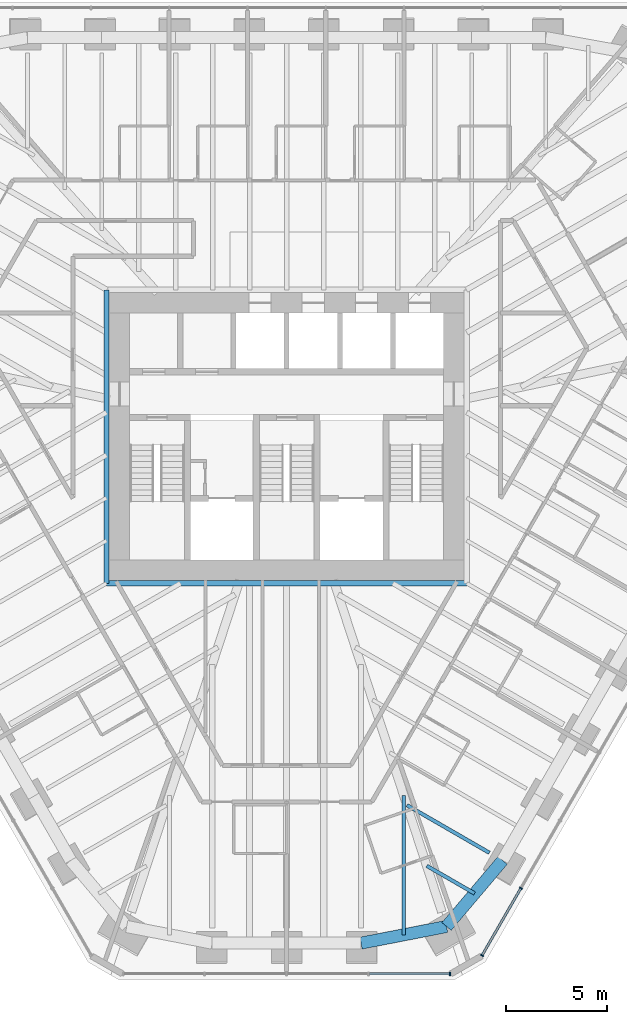
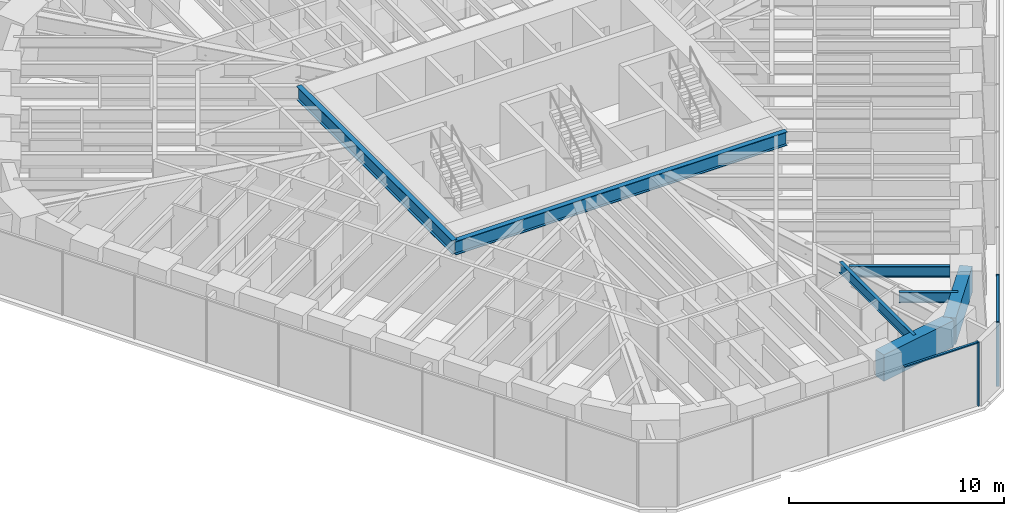
# One storey, part 4 of 17: 7 beams, 5 members, 2 elements without a shape of their own.
"""IFC4 building model written with IfcOpenShell, lengths in metres."""

import ifcopenshell
import ifcopenshell.guid

model = None  # the IFC model being written
_history = None  # IfcOwnerHistory: only IFC2X3 demands one
_inside = {}  # id of a spatial element -> (the spatial element, [elements in it])
_under = {}  # id of a project, library or spatial element -> (it, [spatial elements below it])
_declared = {}  # id of a project -> (the project, [libraries it declares])
_typed = {}  # id of a type object -> (the type object, [elements of that type])
_made_of = {}  # id of a material, layer set ... -> (it, [elements and type objects made of it])


def new_model(schema):
    """Start an empty IFC model of exactly this schema.

    Asked for "IFC4X3", IfcOpenShell would pick the latest addendum, in which some entities
    have other attributes; the version numbers below select the first issue.
    IFC2X3 requires an IfcOwnerHistory on every rooted entity: one is made here for all.
    """
    global model, _history
    if schema == "IFC4X3":
        model = ifcopenshell.file(schema_version=(4, 3, 0, 0))
    else:
        model = ifcopenshell.file(schema=schema)
    _inside.clear()
    _under.clear()
    _declared.clear()
    _typed.clear()
    _made_of.clear()
    _history = None
    if model.schema == "IFC2X3":
        org = make("IfcOrganization", Name="unknown")
        user = make(
            "IfcPersonAndOrganization",
            ThePerson=make("IfcPerson", FamilyName="unknown"),
            TheOrganization=org,
        )
        app = make(
            "IfcApplication",
            ApplicationDeveloper=org,
            Version="unknown",
            ApplicationFullName="unknown",
            ApplicationIdentifier="unknown",
        )
        _history = make(
            "IfcOwnerHistory",
            OwningUser=user,
            OwningApplication=app,
            ChangeAction="ADDED",
            CreationDate=0,
        )
    return model


def make(cls, **values):
    """One entity of the class cls with the attributes given. An attribute that is None is left unset."""
    return model.create_entity(
        cls, **{name: value for name, value in values.items() if value is not None}
    )


def rooted(cls, **values):
    """An entity with a GlobalId (a new one), such as an element, a storey or a relation."""
    return make(cls, GlobalId=ifcopenshell.guid.new(), OwnerHistory=_history, **values)


def si_unit(unit_type, name, prefix=None):
    """IfcSIUnit, for example si_unit("LENGTHUNIT", "METRE", prefix="MILLI")."""
    return make("IfcSIUnit", UnitType=unit_type, Prefix=prefix, Name=name)


def assignment(units):
    """IfcUnitAssignment: the units of a project."""
    return None if units is None else make("IfcUnitAssignment", Units=units)


def point(xyz):
    """IfcCartesianPoint."""
    return None if xyz is None else make("IfcCartesianPoint", Coordinates=xyz)


def direction(xyz):
    """IfcDirection."""
    return None if xyz is None else make("IfcDirection", DirectionRatios=xyz)


def frame(location, z_axis=None, x_axis=None):
    """IfcAxis2Placement3D, a coordinate frame: its origin and axes. An axis left out is left unset."""
    return make(
        "IfcAxis2Placement3D",
        Location=point(location),
        Axis=direction(z_axis),
        RefDirection=direction(x_axis),
    )


def frame_2d(location, x_axis=None):
    """IfcAxis2Placement2D, a coordinate frame in the plane: its origin and x axis."""
    return make(
        "IfcAxis2Placement2D", Location=point(location), RefDirection=direction(x_axis)
    )


def origin():
    """The frame at (0, 0, 0) with its axes left unset."""
    return frame((0.0, 0.0, 0.0))


def origin_2d():
    """The frame at (0, 0) in the plane with its x axis left unset."""
    return frame_2d((0.0, 0.0))


def place(relative_to, where):
    """IfcLocalPlacement: puts the frame where relative to a parent placement (None: the world)."""
    return make(
        "IfcLocalPlacement", PlacementRelTo=relative_to, RelativePlacement=where
    )


def context(
    kind, dimensions, precision=None, world=None, true_north=None, identifier=None
):
    """IfcGeometricRepresentationContext, for example the 3D "Model" context."""
    return make(
        "IfcGeometricRepresentationContext",
        ContextIdentifier=identifier,
        ContextType=kind,
        CoordinateSpaceDimension=dimensions,
        Precision=precision,
        WorldCoordinateSystem=world,
        TrueNorth=true_north,
    )


def subcontext(parent, identifier, kind, view, scale=None):
    """IfcGeometricRepresentationSubContext, for example "Body" below "Model"."""
    return make(
        "IfcGeometricRepresentationSubContext",
        ContextIdentifier=identifier,
        ContextType=kind,
        ParentContext=parent,
        TargetScale=scale,
        TargetView=view,
    )


def project(units=None, contexts=None):
    """IfcProject with its units and contexts."""
    return rooted(
        "IfcProject",
        Name="project",
        RepresentationContexts=contexts,
        UnitsInContext=assignment(units),
    )


def spatial(cls, under=None, at=None, **own):
    """A site, building, storey or space (cls), placed at a placement, below another one or the project."""
    s = rooted(cls, ObjectPlacement=at, **own)
    if under is not None:
        _under.setdefault(under.id(), (under, []))[1].append(s)
    return s


def profile(cls, at=None, kind="AREA", **sizes):
    """A parametric profile (cls). Its sizes go by their IFC names, for example OverallWidth=200.0."""
    return make(cls, ProfileType=kind, Position=at, **sizes)


def rectangle(**sizes):
    """IfcRectangleProfileDef."""
    return profile("IfcRectangleProfileDef", **sizes)


def i_section(**sizes):
    """IfcIShapeProfileDef."""
    return profile("IfcIShapeProfileDef", **sizes)


def extrude(swept, where, along, depth):
    """IfcExtrudedAreaSolid: the profile swept, set in the frame where, extruded along a direction by depth."""
    return make(
        "IfcExtrudedAreaSolid",
        SweptArea=swept,
        Position=where,
        ExtrudedDirection=direction(along),
        Depth=depth,
    )


def shape(context_of_items, identifier, shape_type, items):
    """IfcShapeRepresentation: the items that make up one representation, for example the "Body"."""
    return make(
        "IfcShapeRepresentation",
        ContextOfItems=context_of_items,
        RepresentationIdentifier=identifier,
        RepresentationType=shape_type,
        Items=items,
    )


def material(Name=None, Category=None):
    """IfcMaterial."""
    return make("IfcMaterial", Name=Name, Category=Category)


def material_profile(
    of_material, cross_section, Name=None, Category=None, Priority=None
):
    """IfcMaterialProfile: a cross section and its material."""
    return make(
        "IfcMaterialProfile",
        Name=Name,
        Material=of_material,
        Profile=cross_section,
        Priority=Priority,
        Category=Category,
    )


def profile_set(profiles, Name=None, composite=None):
    """IfcMaterialProfileSet."""
    return make(
        "IfcMaterialProfileSet",
        Name=Name,
        MaterialProfiles=profiles,
        CompositeProfile=composite,
    )


def made_of(thing, what):
    """Note that an element or type object is made of a material, layer set ...; save() writes the relation."""
    if what is not None:
        _made_of.setdefault(what.id(), (what, []))[1].append(thing)
    return thing


def type_object(cls, material=None, **own):
    """A type object (cls), such as IfcWallType, which elements share."""
    return made_of(rooted(cls, **own), material)


def element(
    cls,
    number,
    at=None,
    inside=None,
    cuts=None,
    type_object=None,
    material=None,
    context=None,
    identifier="Body",
    shape_type=None,
    held_by="IfcProductDefinitionShape",
    body=None,
    shapes=None,
    **own,
):
    """One element of the class cls, such as IfcWall. Its Tag is "e" and its number.

    at: its placement. inside: the storey or other place that contains it. cuts: it is an
    opening in that element (IfcRelVoidsElement). A single representation is given by context,
    identifier, shape_type and body (its items); several are given by shapes. held_by: the class
    of the entity that holds the representations. save() writes the other relations.
    """
    e = rooted(cls, Tag="e%d" % number, ObjectPlacement=at, **own)
    if body is not None:
        shapes = [shape(context, identifier, shape_type, body)]
    if shapes is not None:
        e.Representation = make(held_by, Representations=shapes)
    if inside is not None:
        _inside.setdefault(inside.id(), (inside, []))[1].append(e)
    if cuts is not None:
        rooted(
            "IfcRelVoidsElement", RelatingBuildingElement=cuts, RelatedOpeningElement=e
        )
    if type_object is not None:
        _typed.setdefault(type_object.id(), (type_object, []))[1].append(e)
    return made_of(e, material)


def aggregate(whole, parts):
    """IfcRelAggregates: a whole, such as a stair, and the parts it consists of."""
    return rooted("IfcRelAggregates", RelatingObject=whole, RelatedObjects=parts)


def save(model, path):
    """Write the relations noted so far, then the file.

    IfcRelAggregates (storeys below a building ...), IfcRelContainedInSpatialStructure (elements
    in a storey), IfcRelDefinesByType, IfcRelAssociatesMaterial and IfcRelDeclares: one each for
    every whole, place, type object, material and project.
    """
    for whole, parts in _under.values():
        aggregate(whole, parts)
    for where, things in _inside.values():
        rooted(
            "IfcRelContainedInSpatialStructure",
            RelatedElements=things,
            RelatingStructure=where,
        )
    for kind, things in _typed.values():
        rooted("IfcRelDefinesByType", RelatedObjects=things, RelatingType=kind)
    for what, things in _made_of.values():
        rooted("IfcRelAssociatesMaterial", RelatedObjects=things, RelatingMaterial=what)
    for by, libraries in _declared.values():
        rooted("IfcRelDeclares", RelatingContext=by, RelatedDefinitions=libraries)
    model.write(path)


model = new_model("IFC4")

# Units and contexts
model_context = context("Model", 3, precision=1e-05, world=origin(), true_north=direction((0.0, 1.0)))
body_context = subcontext(model_context, "Body", "Model", "MODEL_VIEW")
ifc_project = project(units=[si_unit("LENGTHUNIT", "METRE"), si_unit("AREAUNIT", "SQUARE_METRE"), si_unit("VOLUMEUNIT", "CUBIC_METRE"), si_unit("PLANEANGLEUNIT", "RADIAN"), si_unit("MASSUNIT", "GRAM", prefix="KILO")], contexts=[model_context])

# Site, building, storey
site_placement = place(None, origin())
site = spatial("IfcSite", under=ifc_project, at=site_placement, CompositionType="ELEMENT")
building_placement = place(site_placement, origin())
building = spatial("IfcBuilding", under=site, at=building_placement, Name="Sandreach Pilgrim Tower", CompositionType="ELEMENT")
storey_placement = place(building_placement, frame((0.0, 0.0, 232.60009765625)))
storey = spatial("IfcBuildingStorey", under=building, at=storey_placement, Name="L58", CompositionType="ELEMENT", Elevation=232.60009765625)

# Curtain wall, members
ifc_material_1 = material(Name="Aluminium framed curtain wall", Category="aluminium")
curtain_wall_type = type_object("IfcCurtainWallType", Name="Upper hotel tower curtain wall", PredefinedType="NOTDEFINED", material=ifc_material_1)
curtain_wall_1_placement = place(storey_placement, origin())
curtain_wall_1 = element("IfcCurtainWall", 1, at=curtain_wall_1_placement, inside=storey, type_object=curtain_wall_type, Name="CW-3 L58 SE", PredefinedType="NOTDEFINED")
ifc_material_2 = material(Name="Aluminium extrusion", Category="aluminium")
ifc_material_profile_1 = material_profile(ifc_material_2, rectangle(XDim=0.06494140625, YDim=0.159912109375, at=origin_2d()), Name="CW-3M 65X160")
ifc_profile_set_1 = profile_set([ifc_material_profile_1], Name="Aluminium extrusion")
member_type_1 = type_object("IfcMemberType", Name="CW-3 mullion", PredefinedType="MULLION", material=ifc_profile_set_1)
member_1_placement = place(storey_placement, frame((11.5625, -22.29345703125, 0.0), z_axis=(0.0, 0.0, 1.0), x_axis=(-0.5, -0.866025403784, 0.0)))
member_1 = element("IfcMember", 2, at=member_1_placement, type_object=member_type_1, Name="CW-3 mullion 9", PredefinedType="MULLION", context=body_context, shape_type="SweptSolid", body=[
    extrude(rectangle(XDim=0.06494140625, YDim=0.159912109375, at=origin_2d()), origin(), (0.0, 0.0, 1.0), 3.639892578125),
])
member_2_placement = place(storey_placement, frame((9.646484375, -25.612060546875, 0.0), z_axis=(0.0, 0.0, 1.0), x_axis=(-0.5, -0.866025403784, 0.0)))
member_2 = element("IfcMember", 3, at=member_2_placement, type_object=member_type_1, Name="CW-3 mullion 10", PredefinedType="MULLION", context=body_context, shape_type="SweptSolid", body=[
    extrude(rectangle(XDim=0.06494140625, YDim=0.159912109375, at=origin_2d()), origin(), (0.0, 0.0, 1.0), 3.639892578125),
])

# Curtain wall, member
curtain_wall_2_placement = place(storey_placement, origin())
curtain_wall_2 = element("IfcCurtainWall", 4, at=curtain_wall_2_placement, inside=storey, type_object=curtain_wall_type, Name="CW-3 L58 S", PredefinedType="NOTDEFINED")
member_3_placement = place(storey_placement, frame((8.06494140625, -26.525146484375, 0.0), z_axis=(0.0, 0.0, 1.0), x_axis=(-1.0, 0.0, 0.0)))
member_3 = element("IfcMember", 5, at=member_3_placement, type_object=member_type_1, Name="CW-3 mullion 1", PredefinedType="MULLION", context=body_context, shape_type="SweptSolid", body=[
    extrude(rectangle(XDim=0.06494140625, YDim=0.159912109375, at=origin_2d()), origin(), (0.0, 0.0, 1.0), 3.639892578125),
])

# Member
ifc_material_3 = material(Name="Aluminium extrusion", Category="aluminium")
ifc_material_profile_2 = material_profile(ifc_material_3, rectangle(XDim=0.1201171875, YDim=0.070068359375, at=origin_2d()), Name="CW-3T 120X70")
ifc_profile_set_2 = profile_set([ifc_material_profile_2], Name="Aluminium extrusion")
member_type_2 = type_object("IfcMemberType", Name="CW-3 transom", PredefinedType="USERDEFINED", material=ifc_profile_set_2)
member_4_placement = place(storey_placement, frame((11.546142578125, -22.321533203125, 3.60498046875), z_axis=(-0.499973055223, -0.8660409598, 0.0), x_axis=(0.8660409598, -0.499973055223, 0.0)))
member_4 = element("IfcMember", 6, at=member_4_placement, type_object=member_type_2, Name="CW-3 head transom 9", ObjectType="TRANSOM", PredefinedType="USERDEFINED", context=body_context, shape_type="SweptSolid", body=[
    extrude(rectangle(XDim=0.1201171875, YDim=0.070068359375, at=origin_2d()), origin(), (0.0, 0.0, 1.0), 3.766845703125),
])

aggregate(curtain_wall_1, [member_1, member_2, member_4])

member_5_placement = place(storey_placement, frame((8.032470703125, -26.525146484375, 3.60498046875), z_axis=(-1.0, 0.0, 0.0), x_axis=(0.0, -1.0, 0.0)))
member_5 = element("IfcMember", 7, at=member_5_placement, type_object=member_type_2, Name="CW-3 head transom 1", ObjectType="TRANSOM", PredefinedType="USERDEFINED", context=body_context, shape_type="SweptSolid", body=[
    extrude(rectangle(XDim=0.1201171875, YDim=0.070068359375, at=origin_2d()), origin(), (0.0, 0.0, 1.0), 3.951171875),
])

aggregate(curtain_wall_2, [member_3, member_5])

# Beams
ifc_material_4 = material(Name="Steel ASTM A992 Grade 50", Category="steel")
ifc_material_profile_3 = material_profile(ifc_material_4, i_section(OverallWidth=0.2666015625, OverallDepth=0.77978515625, WebThickness=0.0166015625, FlangeThickness=0.030029296875, at=origin_2d()), Name="W30X148")
ifc_profile_set_3 = profile_set([ifc_material_profile_3], Name="Steel ASTM A992 Grade 50")
beam_type_1 = type_object("IfcBeamType", Name="Core edge beam W30X148", PredefinedType="BEAM", material=ifc_profile_set_3)
beam_1_placement = place(storey_placement, frame((8.893310546875, -7.243408203125, 3.25), z_axis=(-1.0, 0.0, 0.0), x_axis=(0.0, -1.0, 0.0)))
element("IfcBeam", 8, at=beam_1_placement, inside=storey, type_object=beam_type_1, Name="BM L58 CES", PredefinedType="BEAM", context=body_context, shape_type="SweptSolid", body=[
    extrude(i_section(OverallWidth=0.2666015625, OverallDepth=0.77978515625, WebThickness=0.0166015625, FlangeThickness=0.030029296875, at=origin_2d()), origin(), (0.0, 0.0, 1.0), 17.78662109375),
])
beam_2_placement = place(storey_placement, frame((-8.893310546875, -7.243408203125, 3.25), z_axis=(0.0, 1.0, 0.0), x_axis=(-1.0, 0.0, 0.0)))
element("IfcBeam", 9, at=beam_2_placement, inside=storey, type_object=beam_type_1, Name="BM L58 CEW", PredefinedType="BEAM", context=body_context, shape_type="SweptSolid", body=[
    extrude(i_section(OverallWidth=0.2666015625, OverallDepth=0.77978515625, WebThickness=0.0166015625, FlangeThickness=0.030029296875, at=origin_2d()), origin(), (0.0, 0.0, 1.0), 14.48681640625),
])
ifc_material_5 = material(Name="Steel ASTM A992 Grade 50", Category="steel")
ifc_material_profile_4 = material_profile(ifc_material_5, i_section(OverallWidth=0.1787109375, OverallDepth=0.60205078125, WebThickness=0.010986328125, FlangeThickness=0.014892578125, at=origin_2d()), Name="W24X62")
ifc_profile_set_4 = profile_set([ifc_material_profile_4], Name="Steel ASTM A992 Grade 50")
beam_type_2 = type_object("IfcBeamType", Name="Floor beam W24X62", PredefinedType="BEAM", material=ifc_profile_set_4)
beam_3_placement = place(storey_placement, frame((10.01025390625, -20.546630859375, 3.3388671875), z_axis=(-0.866016039709, 0.500016218704, 0.0), x_axis=(-0.500016218704, -0.866016039709, 0.0)))
element("IfcBeam", 10, at=beam_3_placement, inside=storey, type_object=beam_type_2, Name="BM L58 F21", PredefinedType="BEAM", context=body_context, shape_type="SweptSolid", body=[
    extrude(i_section(OverallWidth=0.1787109375, OverallDepth=0.60205078125, WebThickness=0.010986328125, FlangeThickness=0.014892578125, at=origin_2d()), origin(), (0.0, 0.0, 1.0), 4.699951171875),
])
beam_4_placement = place(storey_placement, frame((9.277099609375, -22.552978515625, 3.3388671875), z_axis=(-0.866051307416, 0.49995513091, 0.0), x_axis=(-0.49995513091, -0.866051307416, 0.0)))
element("IfcBeam", 11, at=beam_4_placement, inside=storey, type_object=beam_type_2, Name="BM L58 FM21", PredefinedType="BEAM", context=body_context, shape_type="SweptSolid", body=[
    extrude(i_section(OverallWidth=0.1787109375, OverallDepth=0.60205078125, WebThickness=0.010986328125, FlangeThickness=0.014892578125, at=origin_2d()), origin(), (0.0, 0.0, 1.0), 2.724853515625),
])
beam_5_placement = place(storey_placement, frame((5.783447265625, -24.594970703125, 3.3388671875), z_axis=(0.0, 1.0, 0.0), x_axis=(-1.0, 0.0, 0.0)))
element("IfcBeam", 12, at=beam_5_placement, inside=storey, type_object=beam_type_2, Name="BM L58 FM22", PredefinedType="BEAM", context=body_context, shape_type="SweptSolid", body=[
    extrude(i_section(OverallWidth=0.1787109375, OverallDepth=0.60205078125, WebThickness=0.010986328125, FlangeThickness=0.014892578125, at=origin_2d()), origin(), (0.0, 0.0, 1.0), 6.877685546875),
])
ifc_material_6 = material(Name="Concrete 10000 psi", Category="concrete")
ifc_material_profile_5 = material_profile(ifc_material_6, rectangle(XDim=0.60009765625, YDim=1.5, at=origin_2d()), Name="RC600X1500")
ifc_profile_set_5 = profile_set([ifc_material_profile_5], Name="Concrete 10000 psi")
beam_type_3 = type_object("IfcBeamType", Name="Spandrel beam RC600X1500", PredefinedType="SPANDREL", material=ifc_profile_set_5)
beam_6_placement = place(storey_placement, frame((10.65966796875, -20.921630859375, 2.889892578125), z_axis=(-0.646512685898, -0.762903235655, 0.0), x_axis=(0.762903235655, -0.646512685898, 0.0)))
element("IfcBeam", 13, at=beam_6_placement, inside=storey, type_object=beam_type_3, Name="BM L58 SP21", PredefinedType="SPANDREL", context=body_context, shape_type="SweptSolid", body=[
    extrude(rectangle(XDim=0.60009765625, YDim=1.5, at=origin_2d()), origin(), (0.0, 0.0, 1.0), 4.277099609375),
])
beam_7_placement = place(storey_placement, frame((7.89453125, -24.1845703125, 2.889892578125), z_axis=(-0.981612435484, -0.190884851424, 0.0), x_axis=(0.190884851424, -0.981612435484, 0.0)))
element("IfcBeam", 14, at=beam_7_placement, inside=storey, type_object=beam_type_3, Name="BM L58 SP22", PredefinedType="SPANDREL", context=body_context, shape_type="SweptSolid", body=[
    extrude(rectangle(XDim=0.60009765625, YDim=1.5, at=origin_2d()), origin(), (0.0, 0.0, 1.0), 4.30126953125),
])

save(model, "model.ifc")
